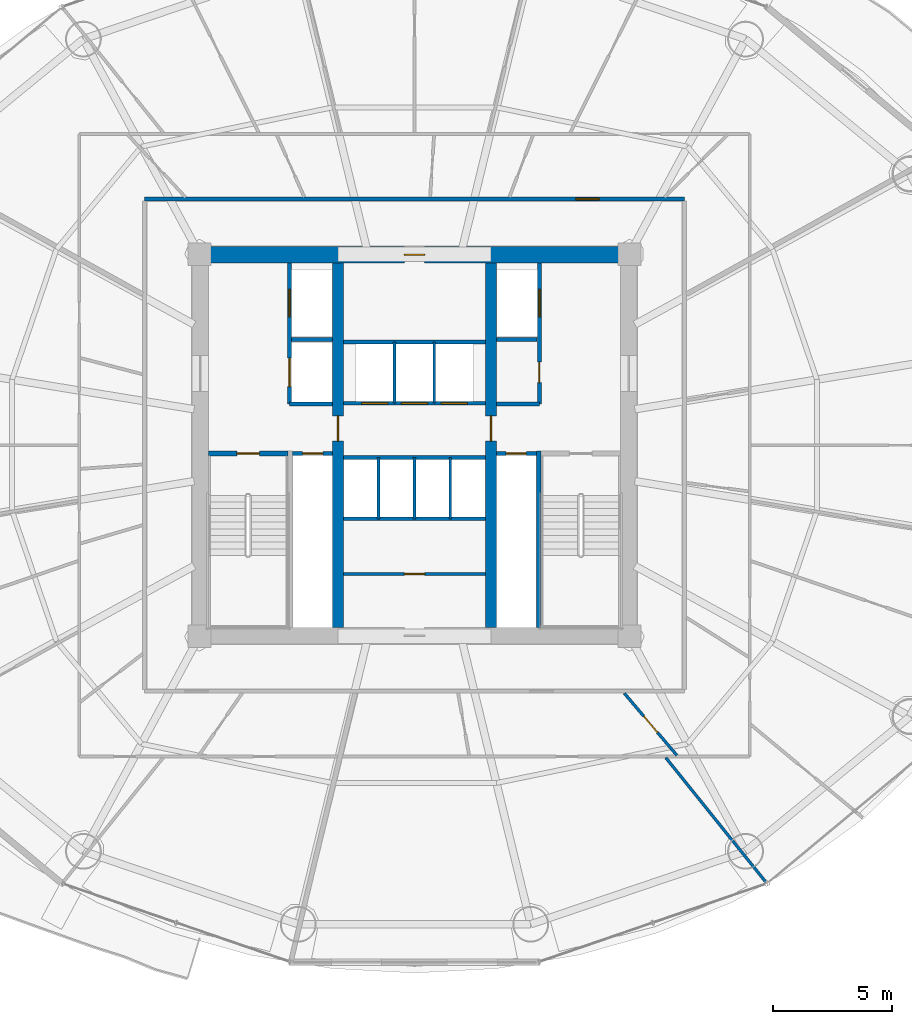
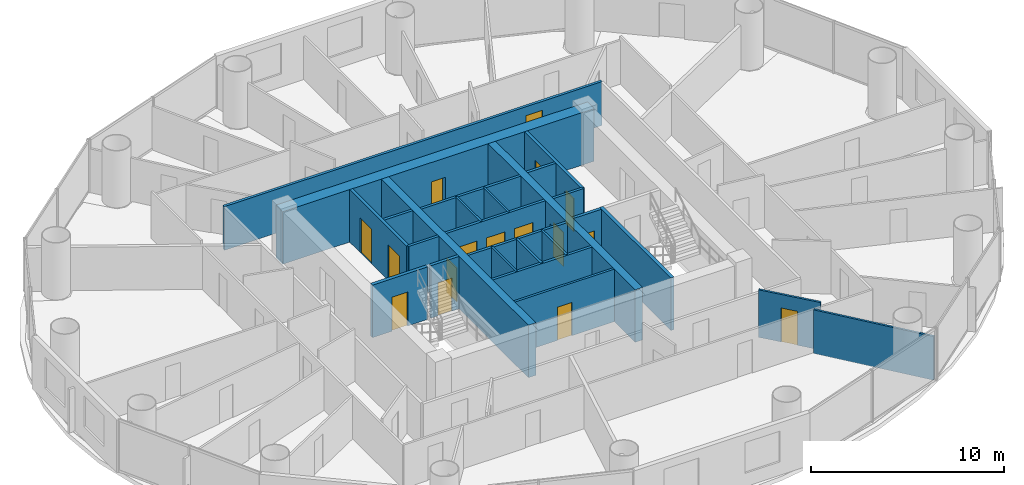
# One storey, part 23 of 29: 26 walls, 16 doors, 16 openings.
"""IFC4 building model written with IfcOpenShell, lengths in metres."""

from ifc_helpers import new_model, si_unit, direction, frame, frame_2d, origin, place, context, subcontext, project, spatial, rectangle, extrude, source, transform, mapped, material, layer, layer_set, type_object, element, fill, save


model = new_model("IFC4")

# Units and contexts
model_context = context("Model", 3, precision=1e-05, world=origin(), true_north=direction((-0.2419218956, 0.970295726276)))
body_context = subcontext(model_context, "Body", "Model", "MODEL_VIEW")
ifc_project = project(units=[si_unit("LENGTHUNIT", "METRE"), si_unit("AREAUNIT", "SQUARE_METRE"), si_unit("VOLUMEUNIT", "CUBIC_METRE"), si_unit("PLANEANGLEUNIT", "RADIAN"), si_unit("MASSUNIT", "GRAM", prefix="KILO")], contexts=[model_context])

# Site, building, storey
site_placement = place(None, origin())
site = spatial("IfcSite", under=ifc_project, at=site_placement, CompositionType="ELEMENT")
building_placement = place(site_placement, origin())
building = spatial("IfcBuilding", under=site, at=building_placement, Name="Cobrevalo Terracotta Tower", CompositionType="ELEMENT")
storey_placement = place(building_placement, frame((0.0, 0.0, 94.199951171875)))
storey = spatial("IfcBuildingStorey", under=building, at=storey_placement, Name="L24", CompositionType="ELEMENT", Elevation=94.199951171875)

# Wall, opening, door
ifc_material_1 = material(Name="Concrete C60", Category="concrete")
ifc_layer_1 = layer(ifc_material_1, 0.699951171875)
ifc_layer_set_1 = layer_set([ifc_layer_1], Name="Concrete C60")
wall_type_1 = type_object("IfcWallType", Name="Core shear wall 700 mm Concrete C60", PredefinedType="SHEAR", material=ifc_layer_set_1)
wall_1_placement = place(storey_placement, frame((28.675048828125, 34.77490234375, 0.0), z_axis=(0.0, 0.0, 1.0), x_axis=(1.0, 0.0, 0.0)))
wall_1 = element("IfcWall", 1, at=wall_1_placement, inside=storey, type_object=wall_type_1, Name="L24 north core shear wall", PredefinedType="SHEAR", context=body_context, shape_type="SweptSolid", body=[
    extrude(rectangle(XDim=18.64990234375, YDim=0.699951171875, at=frame_2d((9.324951171875, 0.0))), origin(), (0.0, 0.0, 1.0), 3.324951171875),
])
opening_1_placement = place(wall_1_placement, frame((8.89990234375, 0.0, 0.0)))
opening_1 = element("IfcOpeningElement", 2, at=opening_1_placement, cuts=wall_1, Name="Opening ID-22", PredefinedType="OPENING", context=body_context, shape_type="SweptSolid", body=[
    extrude(rectangle(XDim=0.85009765625, YDim=2.10009765625, at=frame_2d((0.425048828125, 1.050048828125))), frame((0.0, 0.35986328125, 0.0), z_axis=(0.0, -1.0, 0.0), x_axis=(1.0, 0.0, 0.0)), (0.0, 0.0, 1.0), 0.719970703125),
])
ifc_material_2 = material(Name="Powder-coated steel", Category="steel")
door_type_1 = type_object("IfcDoorType", Name="Riser shaft & meter closet fire access door 850x2100 EI 60", OperationType="NOTDEFINED", PredefinedType="DOOR", material=ifc_material_2)
shared_shape_1 = source(origin(), body_context, "Body", "SweptSolid", [
    extrude(rectangle(XDim=0.85009765625, YDim=2.10009765625, at=frame_2d((0.425048828125, 1.050048828125))), frame((0.0, 0.02490234375, 0.0), z_axis=(0.0, -1.0, 0.0), x_axis=(1.0, 0.0, 0.0)), (0.0, 0.0, 1.0), 0.050048828125),
])
door_1_placement = place(opening_1_placement, frame((0.85009765625, 0.0, 0.0), z_axis=(0.0, 0.0, 1.0), x_axis=(-1.0, 0.0, 0.0)))
door_1 = element("IfcDoor", 3, at=door_1_placement, inside=storey, type_object=door_type_1, Name="L24 core north service door Floor Electrical Switchroom", OperationType="SINGLE_SWING_LEFT", OverallHeight=2.10009765625, OverallWidth=0.85009765625, PredefinedType="DOOR", context=body_context, shape_type="MappedRepresentation", body=[
    mapped(shared_shape_1, transform((0.0, 0.0, 0.0), scale=1.0)),
])
fill(opening_1, door_1)

# Walls
ifc_material_3 = material(Name="Gypsum board on steel stud", Category="steel")
ifc_layer_2 = layer(ifc_material_3, 0.159912109375)
ifc_layer_set_2 = layer_set([ifc_layer_2], Name="Gypsum board on steel stud")
wall_type_2 = type_object("IfcWallType", Name="Fire-rated corridor acoustic partition wall 160 mm", PredefinedType="PARTITIONING", material=ifc_layer_set_2)
wall_2_placement = place(storey_placement, frame((32.860107421875, 31.219970703125, 0.0), z_axis=(0.0, 0.0, 1.0), x_axis=(1.0, 0.0, 0.0)))
element("IfcWall", 4, at=wall_2_placement, inside=storey, type_object=wall_type_2, Name="L24 interior partition IW-L24-FF1-M", PredefinedType="PARTITIONING", context=body_context, shape_type="SweptSolid", body=[
    extrude(rectangle(XDim=1.71484375, YDim=0.159912109375, at=frame_2d((0.857421875, 0.0))), origin(), (0.0, 0.0, 1.0), 3.324951171875),
])
wall_3_placement = place(storey_placement, frame((32.77001953125, 28.52001953125, 0.0), z_axis=(0.0, 0.0, 1.0), x_axis=(1.0, 0.0, 0.0)))
element("IfcWall", 5, at=wall_3_placement, inside=storey, type_object=wall_type_2, Name="L24 interior partition IW-L24-FF1-S", PredefinedType="PARTITIONING", context=body_context, shape_type="SweptSolid", body=[
    extrude(rectangle(XDim=1.804931640625, YDim=0.159912109375, at=frame_2d((0.90234375, 0.0))), origin(), (0.0, 0.0, 1.0), 3.324951171875),
])
wall_4_placement = place(storey_placement, frame((41.425048828125, 31.219970703125, 0.0), z_axis=(0.0, 0.0, 1.0), x_axis=(1.0, 0.0, 0.0)))
element("IfcWall", 6, at=wall_4_placement, inside=storey, type_object=wall_type_2, Name="L24 interior partition IW-L24-FF2-M", PredefinedType="PARTITIONING", context=body_context, shape_type="SweptSolid", body=[
    extrude(rectangle(XDim=1.71484375, YDim=0.159912109375, at=frame_2d((0.857421875, 0.0))), origin(), (0.0, 0.0, 1.0), 3.324951171875),
])
wall_5_placement = place(storey_placement, frame((41.425048828125, 28.52001953125, 0.0), z_axis=(0.0, 0.0, 1.0), x_axis=(1.0, 0.0, 0.0)))
element("IfcWall", 7, at=wall_5_placement, inside=storey, type_object=wall_type_2, Name="L24 interior partition IW-L24-FF2-S", PredefinedType="PARTITIONING", context=body_context, shape_type="SweptSolid", body=[
    extrude(rectangle(XDim=1.804931640625, YDim=0.159912109375, at=frame_2d((0.90234375, 0.0))), origin(), (0.0, 0.0, 1.0), 3.324951171875),
])

# Wall, openings, doors
wall_6_placement = place(storey_placement, frame((35.02490234375, 28.56005859375, 0.0), z_axis=(0.0, 0.0, 1.0), x_axis=(1.0, 0.0, 0.0)))
wall_6 = element("IfcWall", 8, at=wall_6_placement, inside=storey, type_object=wall_type_2, Name="L24 interior partition IW-L24-LB-S", PredefinedType="PARTITIONING", context=body_context, shape_type="SweptSolid", body=[
    extrude(rectangle(XDim=5.9501953125, YDim=0.159912109375, at=frame_2d((2.97509765625, 0.0))), origin(), (0.0, 0.0, 1.0), 3.324951171875),
])
opening_2_placement = place(wall_6_placement, frame((0.760009765625, 0.0, 0.0)))
opening_2 = element("IfcOpeningElement", 9, at=opening_2_placement, cuts=wall_6, Name="Opening LD-01", PredefinedType="OPENING", context=body_context, shape_type="SweptSolid", body=[
    extrude(rectangle(XDim=1.10009765625, YDim=2.199951171875, at=frame_2d((0.550048828125, 1.10009765625))), frame((0.0, 0.08984375, 0.0), z_axis=(0.0, -1.0, 0.0), x_axis=(1.0, 0.0, 0.0)), (0.0, 0.0, 1.0), 0.179931640625),
])
opening_3_placement = place(wall_6_placement, frame((2.425048828125, 0.0, 0.0)))
opening_3 = element("IfcOpeningElement", 10, at=opening_3_placement, cuts=wall_6, Name="Opening LD-01", PredefinedType="OPENING", context=body_context, shape_type="SweptSolid", body=[
    extrude(rectangle(XDim=1.10009765625, YDim=2.199951171875, at=frame_2d((0.550048828125, 1.10009765625))), frame((0.0, 0.08984375, 0.0), z_axis=(0.0, -1.0, 0.0), x_axis=(1.0, 0.0, 0.0)), (0.0, 0.0, 1.0), 0.179931640625),
])
opening_4_placement = place(wall_6_placement, frame((4.090087890625, 0.0, 0.0)))
opening_4 = element("IfcOpeningElement", 11, at=opening_4_placement, cuts=wall_6, Name="Opening LD-01", PredefinedType="OPENING", context=body_context, shape_type="SweptSolid", body=[
    extrude(rectangle(XDim=1.10009765625, YDim=2.199951171875, at=frame_2d((0.550048828125, 1.10009765625))), frame((0.0, 0.08984375, 0.0), z_axis=(0.0, -1.0, 0.0), x_axis=(1.0, 0.0, 0.0)), (0.0, 0.0, 1.0), 0.179931640625),
])
ifc_material_4 = material(Name="Brushed stainless steel", Category="steel")
door_type_2 = type_object("IfcDoorType", Name="Passenger lift landing bi-parting sliding door 1100x2200 EI 90", OperationType="DOUBLE_DOOR_SLIDING", PredefinedType="DOOR", material=ifc_material_4)
shared_shape_2 = source(origin(), body_context, "Body", "SweptSolid", [
    extrude(rectangle(XDim=1.10009765625, YDim=2.199951171875, at=frame_2d((0.550048828125, 1.10009765625))), frame((0.0, 0.02490234375, 0.0), z_axis=(0.0, -1.0, 0.0), x_axis=(1.0, 0.0, 0.0)), (0.0, 0.0, 1.0), 0.050048828125),
])
door_2_placement = place(opening_2_placement, origin())
door_2 = element("IfcDoor", 12, at=door_2_placement, inside=storey, type_object=door_type_2, Name="L24 lift landing door PL-L1", OperationType="DOUBLE_DOOR_SLIDING", OverallHeight=2.199951171875, OverallWidth=1.10009765625, PredefinedType="DOOR", context=body_context, shape_type="MappedRepresentation", body=[
    mapped(shared_shape_2, transform((0.0, 0.0, 0.0), scale=1.0)),
])
fill(opening_2, door_2)
door_3_placement = place(opening_3_placement, origin())
door_3 = element("IfcDoor", 13, at=door_3_placement, inside=storey, type_object=door_type_2, Name="L24 lift landing door PL-L2", OperationType="DOUBLE_DOOR_SLIDING", OverallHeight=2.199951171875, OverallWidth=1.10009765625, PredefinedType="DOOR", context=body_context, shape_type="MappedRepresentation", body=[
    mapped(shared_shape_2, transform((0.0, 0.0, 0.0), scale=1.0)),
])
fill(opening_3, door_3)
door_4_placement = place(opening_4_placement, origin())
door_4 = element("IfcDoor", 14, at=door_4_placement, inside=storey, type_object=door_type_2, Name="L24 lift landing door PL-L3", OperationType="DOUBLE_DOOR_SLIDING", OverallHeight=2.199951171875, OverallWidth=1.10009765625, PredefinedType="DOOR", context=body_context, shape_type="MappedRepresentation", body=[
    mapped(shared_shape_2, transform((0.0, 0.0, 0.0), scale=1.0)),
])
fill(opening_4, door_4)

# Walls
for number, where, z_axis, x_axis, name in (
    (15, (35.02490234375, 31.1201171875, 0.0), (0.0, 0.0, 1.0), (1.0, 0.0, 0.0), "L24 interior partition IW-L24-LB-N"),
    (16, (35.02490234375, 26.280029296875, 0.0), (0.0, 0.0, 1.0), (1.0, 0.0, 0.0), "L24 interior partition IW-L24-MB-N"),
    (17, (35.02490234375, 23.719970703125, 0.0), (0.0, 0.0, 1.0), (1.0, 0.0, 0.0), "L24 interior partition IW-L24-MB-S"),
):
    element("IfcWall", number, at=place(storey_placement, frame(where, z_axis=z_axis, x_axis=x_axis)), inside=storey, type_object=wall_type_2, Name=name, PredefinedType="PARTITIONING", context=body_context, shape_type="SweptSolid", body=[
        extrude(rectangle(XDim=5.9501953125, YDim=0.159912109375, at=frame_2d((2.97509765625, 0.0))), origin(), (0.0, 0.0, 1.0), 3.324951171875),
    ])

# Wall, opening, door
wall_7_placement = place(storey_placement, frame((26.695068359375, 37.10498046875, 0.0), z_axis=(0.0, 0.0, 1.0), x_axis=(1.0, 0.0, 0.0)))
wall_7 = element("IfcWall", 18, at=wall_7_placement, inside=storey, type_object=wall_type_2, Name="L24 interior partition IW-L24-COR-N", PredefinedType="PARTITIONING", context=body_context, shape_type="SweptSolid", body=[
    extrude(rectangle(XDim=22.60986328125, YDim=0.159912109375, at=frame_2d((11.304931640625, 0.0))), origin(), (0.0, 0.0, 1.0), 2.76708984375),
])
opening_5_placement = place(wall_7_placement, frame((18.0576171875, 0.0, 0.0)))
opening_5 = element("IfcOpeningElement", 19, at=opening_5_placement, cuts=wall_7, Name="Opening ID-05", PredefinedType="OPENING", context=body_context, shape_type="SweptSolid", body=[
    extrude(rectangle(XDim=0.97998046875, YDim=2.199951171875, at=frame_2d((0.489990234375, 1.10009765625))), frame((0.0, 0.08984375, 0.0), z_axis=(0.0, -1.0, 0.0), x_axis=(1.0, 0.0, 0.0)), (0.0, 0.0, 1.0), 0.179931640625),
])
ifc_material_5 = material(Name="Solid hardwood timber", Category="wood")
door_type_3 = type_object("IfcDoorType", Name="Residence entrance fire-rated acoustic timber door 980x2200 EI 60", OperationType="NOTDEFINED", PredefinedType="DOOR", material=ifc_material_5)
shared_shape_3 = source(origin(), body_context, "Body", "SweptSolid", [
    extrude(rectangle(XDim=0.97998046875, YDim=2.199951171875, at=frame_2d((0.489990234375, 1.10009765625))), frame((0.0, 0.02490234375, 0.0), z_axis=(0.0, -1.0, 0.0), x_axis=(1.0, 0.0, 0.0)), (0.0, 0.0, 1.0), 0.050048828125),
])
door_5_placement = place(opening_5_placement, origin())
door_5 = element("IfcDoor", 20, at=door_5_placement, inside=storey, type_object=door_type_3, Name="Flat L24A fire-rated apartment entrance door", OperationType="SINGLE_SWING_RIGHT", OverallHeight=2.199951171875, OverallWidth=0.97998046875, PredefinedType="DOOR", context=body_context, shape_type="MappedRepresentation", body=[
    mapped(shared_shape_3, transform((0.0, 0.0, 0.0), scale=1.0)),
])
fill(opening_5, door_5)

ifc_layer_3 = layer(ifc_material_3, 0.179931640625)
ifc_layer_set_3 = layer_set([ifc_layer_3], Name="Gypsum board on steel stud")
wall_type_3 = type_object("IfcWallType", Name="Fire-rated shaft & lobby acoustic partition wall 180 mm", PredefinedType="PARTITIONING", material=ifc_layer_set_3)
wall_8_placement = place(storey_placement, frame((32.89990234375, 26.449951171875, 0.0), z_axis=(0.0, 0.0, 1.0), x_axis=(1.0, 0.0, 0.0)))
wall_8 = element("IfcWall", 21, at=wall_8_placement, inside=storey, type_object=wall_type_3, Name="L24 interior partition IW-L24-RSW-N", PredefinedType="PARTITIONING", context=body_context, shape_type="SweptSolid", body=[
    extrude(rectangle(XDim=1.675048828125, YDim=0.179931640625, at=frame_2d((0.83740234375, 0.0))), origin(), (0.0, 0.0, 1.0), 3.324951171875),
])
opening_6_placement = place(wall_8_placement, frame((0.41259765625, 0.0, 0.0)))
opening_6 = element("IfcOpeningElement", 22, at=opening_6_placement, cuts=wall_8, Name="Opening ID-22", PredefinedType="OPENING", context=body_context, shape_type="SweptSolid", body=[
    extrude(rectangle(XDim=0.85009765625, YDim=2.10009765625, at=frame_2d((0.425048828125, 1.050048828125))), frame((0.0, 0.10009765625, 0.0), z_axis=(0.0, -1.0, 0.0), x_axis=(1.0, 0.0, 0.0)), (0.0, 0.0, 1.0), 0.199951171875),
])
door_6_placement = place(opening_6_placement, origin())
door_6 = element("IfcDoor", 23, at=door_6_placement, inside=storey, type_object=door_type_1, Name="L24 riser access door RSW", OperationType="SINGLE_SWING_LEFT", OverallHeight=2.10009765625, OverallWidth=0.85009765625, PredefinedType="DOOR", context=body_context, shape_type="MappedRepresentation", body=[
    mapped(shared_shape_1, transform((0.0, 0.0, 0.0), scale=1.0)),
])
fill(opening_6, door_6)

wall_9_placement = place(storey_placement, frame((41.425048828125, 26.449951171875, 0.0), z_axis=(0.0, 0.0, 1.0), x_axis=(1.0, 0.0, 0.0)))
wall_9 = element("IfcWall", 24, at=wall_9_placement, inside=storey, type_object=wall_type_3, Name="L24 interior partition IW-L24-RSE-N", PredefinedType="PARTITIONING", context=body_context, shape_type="SweptSolid", body=[
    extrude(rectangle(XDim=1.675048828125, YDim=0.179931640625, at=frame_2d((0.83740234375, 0.0))), origin(), (0.0, 0.0, 1.0), 3.324951171875),
])
opening_7_placement = place(wall_9_placement, frame((0.41259765625, 0.0, 0.0)))
opening_7 = element("IfcOpeningElement", 25, at=opening_7_placement, cuts=wall_9, Name="Opening ID-22", PredefinedType="OPENING", context=body_context, shape_type="SweptSolid", body=[
    extrude(rectangle(XDim=0.85009765625, YDim=2.10009765625, at=frame_2d((0.425048828125, 1.050048828125))), frame((0.0, 0.10009765625, 0.0), z_axis=(0.0, -1.0, 0.0), x_axis=(1.0, 0.0, 0.0)), (0.0, 0.0, 1.0), 0.199951171875),
])
door_7_placement = place(opening_7_placement, origin())
door_7 = element("IfcDoor", 26, at=door_7_placement, inside=storey, type_object=door_type_1, Name="L24 riser access door RSE", OperationType="SINGLE_SWING_RIGHT", OverallHeight=2.10009765625, OverallWidth=0.85009765625, PredefinedType="DOOR", context=body_context, shape_type="MappedRepresentation", body=[
    mapped(shared_shape_1, transform((0.0, 0.0, 0.0), scale=1.0)),
])
fill(opening_7, door_7)

# Wall, openings, doors
wall_10_placement = place(storey_placement, frame((32.77001953125, 28.52001953125, 0.0), z_axis=(0.0, 0.0, 1.0), x_axis=(0.0, 1.0, 0.0)))
wall_10 = element("IfcWall", 27, at=wall_10_placement, inside=storey, type_object=wall_type_3, Name="L24 interior partition IW-L24-FF1-W", PredefinedType="PARTITIONING", context=body_context, shape_type="SweptSolid", body=[
    extrude(rectangle(XDim=5.905029296875, YDim=0.179931640625, at=frame_2d((2.95263671875, 0.0))), origin(), (0.0, 0.0, 1.0), 3.324951171875),
])
opening_8_placement = place(wall_10_placement, frame((3.655029296875, 0.0, 0.0)))
opening_8 = element("IfcOpeningElement", 28, at=opening_8_placement, cuts=wall_10, Name="Opening LD-02", PredefinedType="OPENING", context=body_context, shape_type="SweptSolid", body=[
    extrude(rectangle(XDim=1.14990234375, YDim=2.199951171875, at=frame_2d((0.574951171875, 1.10009765625))), frame((0.0, 0.10009765625, 0.0), z_axis=(0.0, -1.0, 0.0), x_axis=(1.0, 0.0, 0.0)), (0.0, 0.0, 1.0), 0.199951171875),
])
opening_9_placement = place(wall_10_placement, frame((0.72998046875, 0.0, 0.0)))
opening_9 = element("IfcOpeningElement", 29, at=opening_9_placement, cuts=wall_10, Name="Opening LD-03", PredefinedType="OPENING", context=body_context, shape_type="SweptSolid", body=[
    extrude(rectangle(XDim=1.199951171875, YDim=2.25, at=frame_2d((0.60009765625, 1.125))), frame((0.0, 0.10009765625, 0.0), z_axis=(0.0, -1.0, 0.0), x_axis=(1.0, 0.0, 0.0)), (0.0, 0.0, 1.0), 0.199951171875),
])
door_type_4 = type_object("IfcDoorType", Name="Firefighting lift landing bi-parting sliding door 1150x2200 EI 120", OperationType="DOUBLE_DOOR_SLIDING", PredefinedType="DOOR", material=ifc_material_4)
shared_shape_4 = source(origin(), body_context, "Body", "SweptSolid", [
    extrude(rectangle(XDim=1.14990234375, YDim=2.199951171875, at=frame_2d((0.574951171875, 1.10009765625))), frame((0.0, 0.02490234375, 0.0), z_axis=(0.0, -1.0, 0.0), x_axis=(1.0, 0.0, 0.0)), (0.0, 0.0, 1.0), 0.050048828125),
])
door_8_placement = place(opening_8_placement, origin())
door_8 = element("IfcDoor", 30, at=door_8_placement, inside=storey, type_object=door_type_4, Name="L24 lift landing door FF-1", OperationType="DOUBLE_DOOR_SLIDING", OverallHeight=2.199951171875, OverallWidth=1.14990234375, PredefinedType="DOOR", context=body_context, shape_type="MappedRepresentation", body=[
    mapped(shared_shape_4, transform((0.0, 0.0, 0.0), scale=1.0)),
])
fill(opening_8, door_8)
door_type_5 = type_object("IfcDoorType", Name="Service lift landing bi-parting sliding door 1200x2250 EI 120", OperationType="DOUBLE_DOOR_SLIDING", PredefinedType="DOOR", material=ifc_material_4)
shared_shape_5 = source(origin(), body_context, "Body", "SweptSolid", [
    extrude(rectangle(XDim=1.199951171875, YDim=2.25, at=frame_2d((0.60009765625, 1.125))), frame((0.0, 0.02490234375, 0.0), z_axis=(0.0, -1.0, 0.0), x_axis=(1.0, 0.0, 0.0)), (0.0, 0.0, 1.0), 0.050048828125),
])
door_9_placement = place(opening_9_placement, origin())
door_9 = element("IfcDoor", 31, at=door_9_placement, inside=storey, type_object=door_type_5, Name="L24 lift landing door SV-1", OperationType="DOUBLE_DOOR_SLIDING", OverallHeight=2.25, OverallWidth=1.199951171875, PredefinedType="DOOR", context=body_context, shape_type="MappedRepresentation", body=[
    mapped(shared_shape_5, transform((0.0, 0.0, 0.0), scale=1.0)),
])
fill(opening_9, door_9)

wall_11_placement = place(storey_placement, frame((43.22998046875, 28.52001953125, 0.0), z_axis=(0.0, 0.0, 1.0), x_axis=(0.0, 1.0, 0.0)))
wall_11 = element("IfcWall", 32, at=wall_11_placement, inside=storey, type_object=wall_type_3, Name="L24 interior partition IW-L24-FF2-E", PredefinedType="PARTITIONING", context=body_context, shape_type="SweptSolid", body=[
    extrude(rectangle(XDim=5.905029296875, YDim=0.179931640625, at=frame_2d((2.95263671875, 0.0))), origin(), (0.0, 0.0, 1.0), 3.324951171875),
])
opening_10_placement = place(wall_11_placement, frame((0.905029296875, 0.0, 0.0)))
opening_10 = element("IfcOpeningElement", 33, at=opening_10_placement, cuts=wall_11, Name="Opening ID-22", PredefinedType="OPENING", context=body_context, shape_type="SweptSolid", body=[
    extrude(rectangle(XDim=0.85009765625, YDim=2.10009765625, at=frame_2d((0.425048828125, 1.050048828125))), frame((0.0, 0.10009765625, 0.0), z_axis=(0.0, -1.0, 0.0), x_axis=(1.0, 0.0, 0.0)), (0.0, 0.0, 1.0), 0.199951171875),
])
opening_11_placement = place(wall_11_placement, frame((3.655029296875, 0.0, 0.0)))
opening_11 = element("IfcOpeningElement", 34, at=opening_11_placement, cuts=wall_11, Name="Opening LD-02", PredefinedType="OPENING", context=body_context, shape_type="SweptSolid", body=[
    extrude(rectangle(XDim=1.14990234375, YDim=2.199951171875, at=frame_2d((0.574951171875, 1.10009765625))), frame((0.0, 0.10009765625, 0.0), z_axis=(0.0, -1.0, 0.0), x_axis=(1.0, 0.0, 0.0)), (0.0, 0.0, 1.0), 0.199951171875),
])
door_10_placement = place(opening_10_placement, frame((0.85009765625, 0.0, 0.0), z_axis=(0.0, 0.0, 1.0), x_axis=(-1.0, 0.0, 0.0)))
door_10 = element("IfcDoor", 35, at=door_10_placement, inside=storey, type_object=door_type_1, Name="L24 housekeeping store door", OperationType="SINGLE_SWING_RIGHT", OverallHeight=2.10009765625, OverallWidth=0.85009765625, PredefinedType="DOOR", context=body_context, shape_type="MappedRepresentation", body=[
    mapped(shared_shape_1, transform((0.0, 0.0, 0.0), scale=1.0)),
])
fill(opening_10, door_10)
door_11_placement = place(opening_11_placement, origin())
door_11 = element("IfcDoor", 36, at=door_11_placement, inside=storey, type_object=door_type_4, Name="L24 lift landing door FF-2", OperationType="DOUBLE_DOOR_SLIDING", OverallHeight=2.199951171875, OverallWidth=1.14990234375, PredefinedType="DOOR", context=body_context, shape_type="MappedRepresentation", body=[
    mapped(shared_shape_4, transform((0.0, 0.0, 0.0), scale=1.0)),
])
fill(opening_11, door_11)

# Walls
ifc_material_6 = material(Name="Autoclaved aerated concrete block", Category="concrete")
ifc_layer_4 = layer(ifc_material_6, 0.1201171875)
ifc_layer_set_4 = layer_set([ifc_layer_4], Name="Autoclaved aerated concrete block")
wall_type_4 = type_object("IfcWallType", Name="Fire-rated wet-room & core service partition 120 mm", PredefinedType="PARTITIONING", material=ifc_layer_set_4)
for number, where, z_axis, x_axis, name in (
    (37, (37.169921875, 28.56005859375, 0.0), (0.0, 0.0, 1.0), (0.0, 1.0, 0.0), "L24 interior partition IW-L24-LB-D1"),
    (38, (38.830078125, 28.56005859375, 0.0), (0.0, 0.0, 1.0), (0.0, 1.0, 0.0), "L24 interior partition IW-L24-LB-D2"),
    (39, (36.5, 23.719970703125, 0.0), (0.0, 0.0, 1.0), (0.0, 1.0, 0.0), "L24 interior partition IW-L24-MB-D1"),
    (40, (39.5, 23.719970703125, 0.0), (0.0, 0.0, 1.0), (0.0, 1.0, 0.0), "L24 interior partition IW-L24-MB-D3"),
):
    element("IfcWall", number, at=place(storey_placement, frame(where, z_axis=z_axis, x_axis=x_axis)), inside=storey, type_object=wall_type_4, Name=name, PredefinedType="PARTITIONING", context=body_context, shape_type="SweptSolid", body=[
        extrude(rectangle(XDim=2.56005859375, YDim=0.1201171875, at=frame_2d((1.280029296875, 0.0))), origin(), (0.0, 0.0, 1.0), 3.324951171875),
    ])

# Wall, opening, door
ifc_material_7 = material(Name="Concrete C55", Category="concrete")
ifc_layer_5 = layer(ifc_material_7, 0.449951171875)
ifc_layer_set_5 = layer_set([ifc_layer_5], Name="Concrete C55")
wall_type_5 = type_object("IfcWallType", Name="Internal core shear web wall 450 mm Concrete C55", PredefinedType="SHEAR", material=ifc_layer_set_5)
wall_12_placement = place(storey_placement, frame((34.800048828125, 19.175048828125, 0.0), z_axis=(0.0, 0.0, 1.0), x_axis=(0.0, 1.0, 0.0)))
wall_12 = element("IfcWall", 41, at=wall_12_placement, inside=storey, type_object=wall_type_5, Name="L24 internal core shear wall WEB-W", PredefinedType="SHEAR", context=body_context, shape_type="SweptSolid", body=[
    extrude(rectangle(XDim=15.25, YDim=0.449951171875, at=frame_2d((7.625, 0.0))), origin(), (0.0, 0.0, 1.0), 3.324951171875),
])
opening_12_placement = place(wall_12_placement, frame((7.800048828125, 0.0, 0.0)))
opening_12 = element("IfcOpeningElement", 42, at=opening_12_placement, cuts=wall_12, Name="Opening ID-11", PredefinedType="OPENING", context=body_context, shape_type="SweptSolid", body=[
    extrude(rectangle(XDim=1.050048828125, YDim=2.14990234375, at=frame_2d((0.52490234375, 1.074951171875))), frame((0.0, 0.23486328125, 0.0), z_axis=(0.0, -1.0, 0.0), x_axis=(1.0, 0.0, 0.0)), (0.0, 0.0, 1.0), 0.469970703125),
])
ifc_material_8 = material(Name="Galvanized fire-rated steel", Category="steel")
door_type_6 = type_object("IfcDoorType", Name="Core concourse cross fire door 1050x2150 EI 90", OperationType="NOTDEFINED", PredefinedType="DOOR", material=ifc_material_8)
shared_shape_6 = source(origin(), body_context, "Body", "SweptSolid", [
    extrude(rectangle(XDim=1.050048828125, YDim=2.14990234375, at=frame_2d((0.52490234375, 1.074951171875))), frame((0.0, 0.02490234375, 0.0), z_axis=(0.0, -1.0, 0.0), x_axis=(1.0, 0.0, 0.0)), (0.0, 0.0, 1.0), 0.050048828125),
])
door_12_placement = place(opening_12_placement, origin())
door_12 = element("IfcDoor", 43, at=door_12_placement, inside=storey, type_object=door_type_6, Name="L24 west core concourse cross door", OperationType="SINGLE_SWING_LEFT", OverallHeight=2.14990234375, OverallWidth=1.050048828125, PredefinedType="DOOR", context=body_context, shape_type="MappedRepresentation", body=[
    mapped(shared_shape_6, transform((0.0, 0.0, 0.0), scale=1.0)),
])
fill(opening_12, door_12)

wall_13_placement = place(storey_placement, frame((41.199951171875, 19.175048828125, 0.0), z_axis=(0.0, 0.0, 1.0), x_axis=(0.0, 1.0, 0.0)))
wall_13 = element("IfcWall", 44, at=wall_13_placement, inside=storey, type_object=wall_type_5, Name="L24 internal core shear wall WEB-E", PredefinedType="SHEAR", context=body_context, shape_type="SweptSolid", body=[
    extrude(rectangle(XDim=15.25, YDim=0.449951171875, at=frame_2d((7.625, 0.0))), origin(), (0.0, 0.0, 1.0), 3.324951171875),
])
opening_13_placement = place(wall_13_placement, frame((7.800048828125, 0.0, 0.0)))
opening_13 = element("IfcOpeningElement", 45, at=opening_13_placement, cuts=wall_13, Name="Opening ID-11", PredefinedType="OPENING", context=body_context, shape_type="SweptSolid", body=[
    extrude(rectangle(XDim=1.050048828125, YDim=2.14990234375, at=frame_2d((0.52490234375, 1.074951171875))), frame((0.0, 0.23486328125, 0.0), z_axis=(0.0, -1.0, 0.0), x_axis=(1.0, 0.0, 0.0)), (0.0, 0.0, 1.0), 0.469970703125),
])
door_13_placement = place(opening_13_placement, frame((1.050048828125, 0.0, 0.0), z_axis=(0.0, 0.0, 1.0), x_axis=(-1.0, 0.0, 0.0)))
door_13 = element("IfcDoor", 46, at=door_13_placement, inside=storey, type_object=door_type_6, Name="L24 east core concourse cross door", OperationType="SINGLE_SWING_RIGHT", OverallHeight=2.14990234375, OverallWidth=1.050048828125, PredefinedType="DOOR", context=body_context, shape_type="MappedRepresentation", body=[
    mapped(shared_shape_6, transform((0.0, 0.0, 0.0), scale=1.0)),
])
fill(opening_13, door_13)

# Wall
ifc_layer_6 = layer(ifc_material_6, 0.139892578125)
ifc_layer_set_6 = layer_set([ifc_layer_6], Name="Autoclaved aerated concrete block")
wall_type_6 = type_object("IfcWallType", Name="Moisture-resistant wet-room & core service partition 140 mm", PredefinedType="PARTITIONING", material=ifc_layer_set_6)
wall_14_placement = place(storey_placement, frame((38.0, 23.719970703125, 0.0), z_axis=(0.0, 0.0, 1.0), x_axis=(0.0, 1.0, 0.0)))
element("IfcWall", 47, at=wall_14_placement, inside=storey, type_object=wall_type_6, Name="L24 interior partition IW-L24-MB-D2", PredefinedType="PARTITIONING", context=body_context, shape_type="SweptSolid", body=[
    extrude(rectangle(XDim=2.56005859375, YDim=0.139892578125, at=frame_2d((1.280029296875, 0.0))), origin(), (0.0, 0.0, 1.0), 3.324951171875),
])

# Wall, opening, door
wall_15_placement = place(storey_placement, frame((35.02490234375, 21.407470703125, 0.0), z_axis=(0.0, 0.0, 1.0), x_axis=(1.0, 0.0, 0.0)))
wall_15 = element("IfcWall", 48, at=wall_15_placement, inside=storey, type_object=wall_type_6, Name="L24 interior partition IW-L24-KVS-H", PredefinedType="PARTITIONING", context=body_context, shape_type="SweptSolid", body=[
    extrude(rectangle(XDim=5.9501953125, YDim=0.139892578125, at=frame_2d((2.97509765625, 0.0))), origin(), (0.0, 0.0, 1.0), 3.324951171875),
])
opening_14_placement = place(wall_15_placement, frame((2.550048828125, 0.0, 0.0)))
opening_14 = element("IfcOpeningElement", 49, at=opening_14_placement, cuts=wall_15, Name="Opening ID-22", PredefinedType="OPENING", context=body_context, shape_type="SweptSolid", body=[
    extrude(rectangle(XDim=0.85009765625, YDim=2.10009765625, at=frame_2d((0.425048828125, 1.050048828125))), frame((0.0, 0.080078125, 0.0), z_axis=(0.0, -1.0, 0.0), x_axis=(1.0, 0.0, 0.0)), (0.0, 0.0, 1.0), 0.159912109375),
])
door_14_placement = place(opening_14_placement, origin())
door_14 = element("IfcDoor", 50, at=door_14_placement, inside=storey, type_object=door_type_1, Name="L24 core manifold inner door", OperationType="SINGLE_SWING_LEFT", OverallHeight=2.10009765625, OverallWidth=0.85009765625, PredefinedType="DOOR", context=body_context, shape_type="MappedRepresentation", body=[
    mapped(shared_shape_1, transform((0.0, 0.0, 0.0), scale=1.0)),
])
fill(opening_14, door_14)

# Wall
ifc_layer_7 = layer(ifc_material_3, 0.1201171875)
ifc_layer_set_7 = layer_set([ifc_layer_7], Name="Gypsum board on steel stud")
wall_type_7 = type_object("IfcWallType", Name="Residential internal acoustic stud partition 120 mm", PredefinedType="PARTITIONING", material=ifc_layer_set_7)
wall_16_placement = place(storey_placement, frame((48.52197265625, 13.716796875, 0.0), z_axis=(0.0, 0.0, 1.0), x_axis=(0.626707979732, -0.77925419995, 0.0)))
element("IfcWall", 51, at=wall_16_placement, inside=storey, type_object=wall_type_7, Name="L24 interior partition IW-L24-U3-ORAD1", PredefinedType="PARTITIONING", context=body_context, shape_type="SweptSolid", body=[
    extrude(rectangle(XDim=6.6787109375, YDim=0.1201171875, at=frame_2d((3.33935546875, 0.0))), origin(), (0.0, 0.0, 1.0), 2.76708984375),
])

# Wall, opening, door
wall_17_placement = place(storey_placement, frame((46.784912109375, 16.4150390625, 0.0), z_axis=(0.0, 0.0, 1.0), x_axis=(0.64582345164, -0.76348678398, 0.0)))
wall_17 = element("IfcWall", 52, at=wall_17_placement, inside=storey, type_object=wall_type_7, Name="L24 interior partition IW-L24-U3-IRAD2", PredefinedType="PARTITIONING", context=body_context, shape_type="SweptSolid", body=[
    extrude(rectangle(XDim=3.4091796875, YDim=0.1201171875, at=frame_2d((1.70458984375, 0.0))), origin(), (0.0, 0.0, 1.0), 3.004150390625),
])
opening_15_placement = place(wall_17_placement, frame((1.25439453125, 0.0, 0.0)))
opening_15 = element("IfcOpeningElement", 53, at=opening_15_placement, cuts=wall_17, Name="Opening ID-12", PredefinedType="OPENING", context=body_context, shape_type="SweptSolid", body=[
    extrude(rectangle(XDim=0.89990234375, YDim=2.14990234375, at=frame_2d((0.449951171875, 1.074951171875))), frame((0.0, 0.070068359375, 0.0), z_axis=(0.0, -1.0, 0.0), x_axis=(1.0, 0.0, 0.0)), (0.0, 0.0, 1.0), 0.14013671875),
])
ifc_material_9 = material(Name="Engineered timber", Category="wood")
door_type_7 = type_object("IfcDoorType", Name="Internal residence & suite timber door 900x2150", OperationType="NOTDEFINED", PredefinedType="DOOR", material=ifc_material_9)
shared_shape_7 = source(origin(), body_context, "Body", "SweptSolid", [
    extrude(rectangle(XDim=0.89990234375, YDim=2.14990234375, at=frame_2d((0.449951171875, 1.074951171875))), frame((0.0, 0.02490234375, 0.0), z_axis=(0.0, -1.0, 0.0), x_axis=(1.0, 0.0, 0.0)), (0.0, 0.0, 1.0), 0.050048828125),
])
door_15_placement = place(opening_15_placement, origin())
door_15 = element("IfcDoor", 54, at=door_15_placement, inside=storey, type_object=door_type_7, Name="Flat L24C Kitchen internal door", OperationType="SINGLE_SWING_RIGHT", OverallHeight=2.14990234375, OverallWidth=0.89990234375, PredefinedType="DOOR", context=body_context, shape_type="MappedRepresentation", body=[
    mapped(shared_shape_7, transform((0.0, 0.0, 0.0), scale=1.0)),
])
fill(opening_15, door_15)

ifc_material_10 = material(Name="Concrete C50", Category="concrete")
ifc_layer_8 = layer(ifc_material_10, 0.199951171875)
ifc_layer_set_8 = layer_set([ifc_layer_8], Name="Concrete C50")
wall_type_8 = type_object("IfcWallType", Name="Structural core & podium stair-shaft RC wall 200 mm Concrete C50", PredefinedType="SOLIDWALL", material=ifc_layer_set_8)
wall_18_placement = place(storey_placement, frame((29.375, 26.449951171875, 0.0), z_axis=(0.0, 0.0, 1.0), x_axis=(1.0, 0.0, 0.0)))
wall_18 = element("IfcWall", 55, at=wall_18_placement, inside=storey, type_object=wall_type_8, Name="L24 ST-1 north structural shaft wall", PredefinedType="SOLIDWALL", context=body_context, shape_type="SweptSolid", body=[
    extrude(rectangle(XDim=3.320068359375, YDim=0.199951171875, at=frame_2d((1.66015625, 0.0))), origin(), (0.0, 0.0, 1.0), 3.324951171875),
])
opening_16_placement = place(wall_18_placement, frame((1.18505859375, 0.0, 0.0)))
opening_16 = element("IfcOpeningElement", 56, at=opening_16_placement, cuts=wall_18, Name="Opening ID-04", PredefinedType="OPENING", context=body_context, shape_type="SweptSolid", body=[
    extrude(rectangle(XDim=0.949951171875, YDim=2.14990234375, at=frame_2d((0.47509765625, 1.074951171875))), frame((0.0, 0.10986328125, 0.0), z_axis=(0.0, -1.0, 0.0), x_axis=(1.0, 0.0, 0.0)), (0.0, 0.0, 1.0), 0.219970703125),
])
door_type_8 = type_object("IfcDoorType", Name="Stair & firefighting lobby fire door 950x2150 EI 90", OperationType="NOTDEFINED", PredefinedType="DOOR", material=ifc_material_8)
shared_shape_8 = source(origin(), body_context, "Body", "SweptSolid", [
    extrude(rectangle(XDim=0.949951171875, YDim=2.14990234375, at=frame_2d((0.47509765625, 1.074951171875))), frame((0.0, 0.02490234375, 0.0), z_axis=(0.0, -1.0, 0.0), x_axis=(1.0, 0.0, 0.0)), (0.0, 0.0, 1.0), 0.050048828125),
])
door_16_placement = place(opening_16_placement, origin())
door_16 = element("IfcDoor", 57, at=door_16_placement, inside=storey, type_object=door_type_8, Name="L24 protected stair ST1 fire door", OperationType="SINGLE_SWING_LEFT", OverallHeight=2.14990234375, OverallWidth=0.949951171875, PredefinedType="DOOR", context=body_context, shape_type="MappedRepresentation", body=[
    mapped(shared_shape_8, transform((0.0, 0.0, 0.0), scale=1.0)),
])
fill(opening_16, door_16)

# Wall
wall_19_placement = place(storey_placement, frame((43.205078125, 19.175048828125, 0.0), z_axis=(0.0, 0.0, 1.0), x_axis=(0.0, 1.0, 0.0)))
element("IfcWall", 58, at=wall_19_placement, inside=storey, type_object=wall_type_8, Name="L24 ST-2 west structural shaft wall", PredefinedType="SOLIDWALL", context=body_context, shape_type="SweptSolid", body=[
    extrude(rectangle(XDim=7.375, YDim=0.199951171875, at=frame_2d((3.6875, 0.0))), origin(), (0.0, 0.0, 1.0), 3.324951171875),
])

save(model, "model.ifc")
